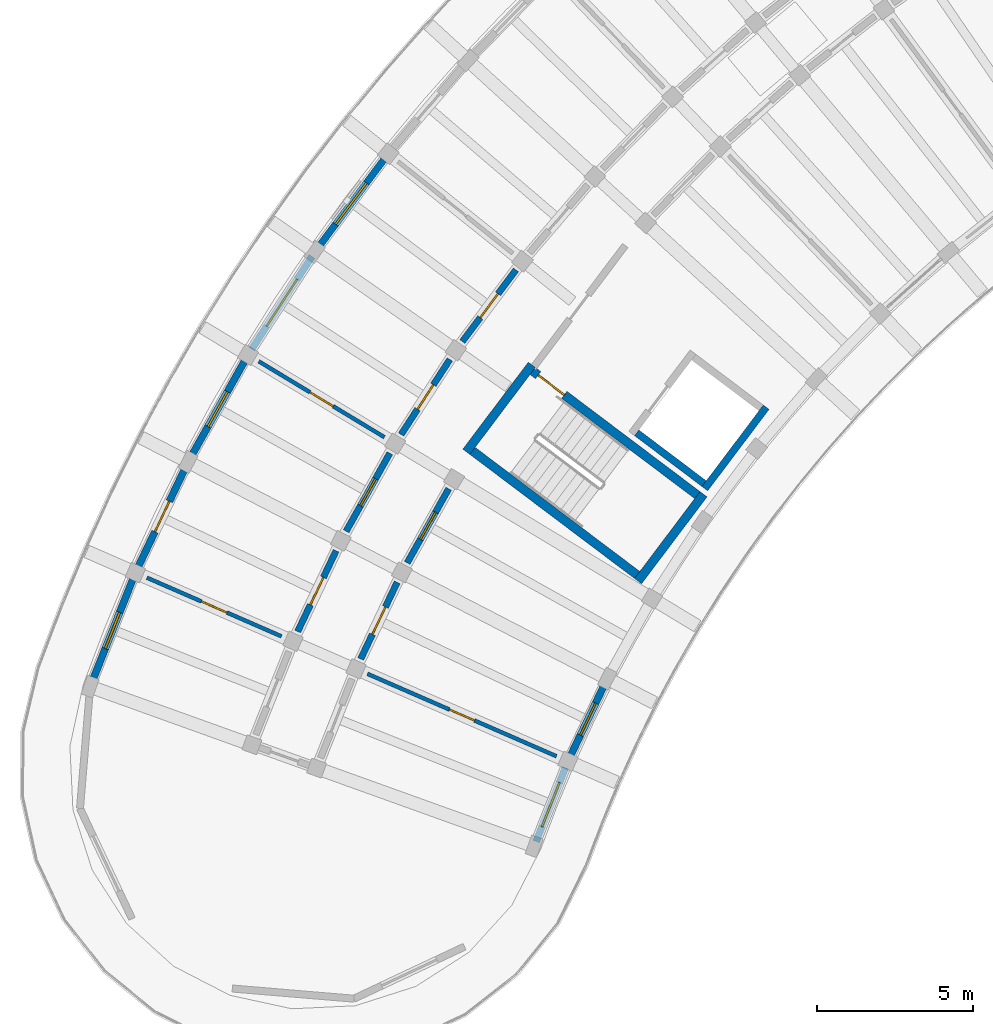
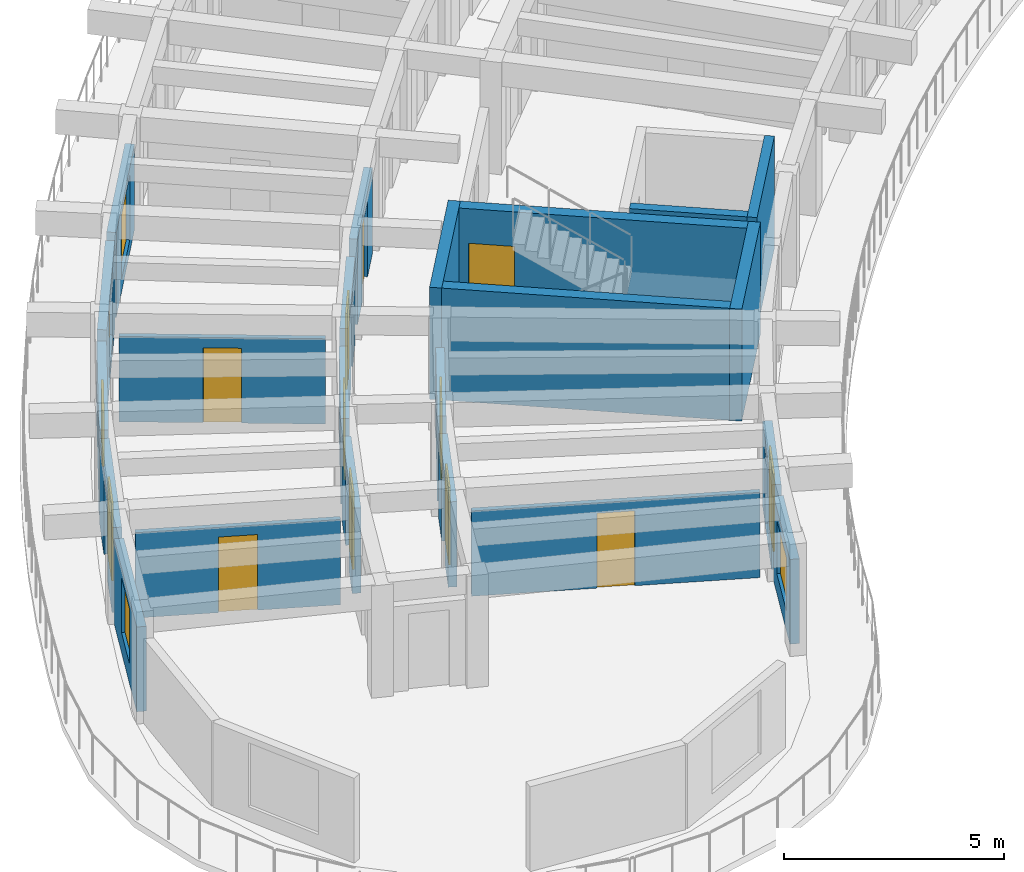
# One storey, part 19 of 41: 22 walls, 12 doors, 5 windows, 17 openings.
"""IFC4 building model written with IfcOpenShell, lengths in metres."""

from ifc_helpers import new_model, si_unit, direction, frame, frame_2d, origin, place, context, subcontext, project, spatial, rectangle, extrude, material, layer, layer_set, type_object, element, fill, save


model = new_model("IFC4")

# Units and contexts
model_context = context("Model", 3, precision=1e-05, world=origin(), true_north=direction((0.0, 1.0)))
body_context = subcontext(model_context, "Body", "Model", "MODEL_VIEW")
ifc_project = project(units=[si_unit("LENGTHUNIT", "METRE"), si_unit("AREAUNIT", "SQUARE_METRE"), si_unit("VOLUMEUNIT", "CUBIC_METRE"), si_unit("PLANEANGLEUNIT", "RADIAN"), si_unit("MASSUNIT", "GRAM", prefix="KILO")], contexts=[model_context])

# Site, building, storey
site_placement = place(None, origin())
site = spatial("IfcSite", under=ifc_project, at=site_placement, CompositionType="ELEMENT")
building_placement = place(site_placement, origin())
building = spatial("IfcBuilding", under=site, at=building_placement, Name="Tanwirah Colonnade Gardens", CompositionType="ELEMENT")
storey_placement = place(building_placement, frame((0.0, 0.0, 35.719970703125)))
storey = spatial("IfcBuildingStorey", under=building, at=storey_placement, Name="L10", CompositionType="ELEMENT", Elevation=35.719970703125)

# Wall, opening, window
ifc_material_1 = material(Name="Limestone architectural precast concrete C40/50", Category="masonry")
ifc_layer_1 = layer(ifc_material_1, 0.22509765625)
ifc_layer_set_1 = layer_set([ifc_layer_1], Name="Limestone architectural precast concrete C40/50")
wall_type_1 = type_object("IfcWallType", Name="EW-PC225", PredefinedType="SOLIDWALL", material=ifc_layer_set_1)
wall_1_placement = place(storey_placement, frame((18.3720703125, 97.22998046875, 0.0), z_axis=(0.0, 0.0, 1.0), x_axis=(-0.59871946339, -0.800958803034, 0.0)))
wall_1 = element("IfcWall", 1, at=wall_1_placement, inside=storey, type_object=wall_type_1, Name="Block A L10 OUT Precast Facade Wall 12", PredefinedType="SOLIDWALL", context=body_context, shape_type="SweptSolid", body=[
    extrude(rectangle(XDim=3.540771484375, YDim=0.22509765625, at=frame_2d((1.7705078125, 0.0))), origin(), (0.0, 0.0, 1.0), 2.35498046875),
])
opening_1_placement = place(wall_1_placement, frame((0.9453125, 0.0, 0.35009765625)))
opening_1 = element("IfcOpeningElement", 2, at=opening_1_placement, cuts=wall_1, Name="Opening WIN-T11", PredefinedType="OPENING", context=body_context, shape_type="SweptSolid", body=[
    extrude(rectangle(XDim=1.64990234375, YDim=1.800048828125, at=frame_2d((0.824951171875, 0.89990234375))), frame((0.0, 0.12255859375, 0.0), z_axis=(0.0, -1.0, 0.0), x_axis=(1.0, 0.0, 0.0)), (0.0, 0.0, 1.0), 0.2451171875),
])
ifc_material_2 = material(Name="Thermally broken bronze aluminium and solar low-E double glazing", Category="aluminium")
window_type_1 = type_object("IfcWindowType", Name="WIN-T11", PartitioningType="DOUBLE_PANEL_VERTICAL", PredefinedType="WINDOW", material=ifc_material_2)
window_1_placement = place(opening_1_placement, origin())
window_1 = element("IfcWindow", 3, at=window_1_placement, inside=storey, type_object=window_type_1, Name="Facade window A-L10-OUT-12", OverallHeight=1.800048828125, OverallWidth=1.64990234375, PartitioningType="SINGLE_PANEL", PredefinedType="WINDOW", context=body_context, shape_type="SweptSolid", body=[
    extrude(rectangle(XDim=1.64990234375, YDim=1.800048828125, at=frame_2d((0.824951171875, 0.89990234375))), frame((0.0, 0.030029296875, 0.0), z_axis=(0.0, -1.0, 0.0), x_axis=(1.0, 0.0, 0.0)), (0.0, 0.0, 1.0), 0.06005859375),
])
fill(opening_1, window_1)

wall_2_placement = place(storey_placement, frame((16.0634765625, 94.12353515625, 0.0), z_axis=(0.0, 0.0, 1.0), x_axis=(-0.544651423633, -0.838662522553, 0.0)))
wall_2 = element("IfcWall", 4, at=wall_2_placement, inside=storey, type_object=wall_type_1, Name="Block A L10 OUT Precast Facade Wall 13", PredefinedType="SOLIDWALL", context=body_context, shape_type="SweptSolid", body=[
    extrude(rectangle(XDim=3.540771484375, YDim=0.22509765625, at=frame_2d((1.7705078125, 0.0))), origin(), (0.0, 0.0, 1.0), 2.35498046875),
])
opening_2_placement = place(wall_2_placement, frame((0.870361328125, 0.0, 0.35009765625)))
opening_2 = element("IfcOpeningElement", 5, at=opening_2_placement, cuts=wall_2, Name="Opening WIN-T14", PredefinedType="OPENING", context=body_context, shape_type="SweptSolid", body=[
    extrude(rectangle(XDim=1.800048828125, YDim=1.85009765625, at=frame_2d((0.89990234375, 0.925048828125))), frame((0.0, 0.12255859375, 0.0), z_axis=(0.0, -1.0, 0.0), x_axis=(1.0, 0.0, 0.0)), (0.0, 0.0, 1.0), 0.2451171875),
])
window_type_2 = type_object("IfcWindowType", Name="WIN-T14", PartitioningType="TRIPLE_PANEL_VERTICAL", PredefinedType="WINDOW", material=ifc_material_2)
window_2_placement = place(opening_2_placement, origin())
window_2 = element("IfcWindow", 6, at=window_2_placement, inside=storey, type_object=window_type_2, Name="Facade window A-L10-OUT-13", OverallHeight=1.85009765625, OverallWidth=1.800048828125, PartitioningType="SINGLE_PANEL", PredefinedType="WINDOW", context=body_context, shape_type="SweptSolid", body=[
    extrude(rectangle(XDim=1.800048828125, YDim=1.85009765625, at=frame_2d((0.89990234375, 0.925048828125))), frame((0.0, 0.030029296875, 0.0), z_axis=(0.0, -1.0, 0.0), x_axis=(1.0, 0.0, 0.0)), (0.0, 0.0, 1.0), 0.06005859375),
])
fill(opening_2, window_2)

wall_3_placement = place(storey_placement, frame((13.907958984375, 90.77734375, 0.0), z_axis=(0.0, 0.0, 1.0), x_axis=(-0.488240096514, -0.872709349185, 0.0)))
wall_3 = element("IfcWall", 7, at=wall_3_placement, inside=storey, type_object=wall_type_1, Name="Block A L10 OUT Precast Facade Wall 14", PredefinedType="SOLIDWALL", context=body_context, shape_type="SweptSolid", body=[
    extrude(rectangle(XDim=3.540771484375, YDim=0.22509765625, at=frame_2d((1.7705078125, 0.0))), origin(), (0.0, 0.0, 1.0), 2.35498046875),
])
opening_3_placement = place(wall_3_placement, frame((1.13037109375, 0.0, 0.550048828125)))
opening_3 = element("IfcOpeningElement", 8, at=opening_3_placement, cuts=wall_3, Name="Opening WIN-T17", PredefinedType="OPENING", context=body_context, shape_type="SweptSolid", body=[
    extrude(rectangle(XDim=1.280029296875, YDim=1.52001953125, at=frame_2d((0.64013671875, 0.760009765625))), frame((0.0, 0.12255859375, 0.0), z_axis=(0.0, -1.0, 0.0), x_axis=(1.0, 0.0, 0.0)), (0.0, 0.0, 1.0), 0.2451171875),
])
window_type_3 = type_object("IfcWindowType", Name="WIN-T17", PartitioningType="SINGLE_PANEL", PredefinedType="WINDOW", material=ifc_material_2)
window_3_placement = place(opening_3_placement, origin())
window_3 = element("IfcWindow", 9, at=window_3_placement, inside=storey, type_object=window_type_3, Name="Facade window A-L10-OUT-14", OverallHeight=1.52001953125, OverallWidth=1.280029296875, PartitioningType="SINGLE_PANEL", PredefinedType="WINDOW", context=body_context, shape_type="SweptSolid", body=[
    extrude(rectangle(XDim=1.280029296875, YDim=1.52001953125, at=frame_2d((0.64013671875, 0.760009765625))), frame((0.0, 0.030029296875, 0.0), z_axis=(0.0, -1.0, 0.0), x_axis=(1.0, 0.0, 0.0)), (0.0, 0.0, 1.0), 0.06005859375),
])
fill(opening_3, window_3)

# Wall, opening, door
wall_4_placement = place(storey_placement, frame((12.02783203125, 87.394287109375, 0.0), z_axis=(0.0, 0.0, 1.0), x_axis=(-0.429641817045, -0.902999395928, 0.0)))
wall_4 = element("IfcWall", 10, at=wall_4_placement, inside=storey, type_object=wall_type_1, Name="Block A L10 OUT Precast Facade Wall 15", PredefinedType="SOLIDWALL", context=body_context, shape_type="SweptSolid", body=[
    extrude(rectangle(XDim=3.540771484375, YDim=0.22509765625, at=frame_2d((1.7705078125, 0.0))), origin(), (0.0, 0.0, 1.0), 2.35498046875),
])
opening_4_placement = place(wall_4_placement, frame((1.230224609375, 0.0, 0.0)))
opening_4 = element("IfcOpeningElement", 11, at=opening_4_placement, cuts=wall_4, Name="Opening L10-ED050", PredefinedType="OPENING", context=body_context, shape_type="SweptSolid", body=[
    extrude(rectangle(XDim=1.080078125, YDim=2.14990234375, at=frame_2d((0.5400390625, 1.074951171875))), frame((0.0, 0.12255859375, 0.0), z_axis=(0.0, -1.0, 0.0), x_axis=(1.0, 0.0, 0.0)), (0.0, 0.0, 1.0), 0.2451171875),
])
ifc_material_3 = material(Name="Bronze aluminium glazed balcony door", Category="aluminium")
door_type_1 = type_object("IfcDoorType", Name="ED-BAL108", OperationType="NOTDEFINED", PredefinedType="DOOR", material=ifc_material_3)
door_1_placement = place(opening_4_placement, origin())
door_1 = element("IfcDoor", 12, at=door_1_placement, inside=storey, type_object=door_type_1, Name="Balcony glazed door L10-ED050", OperationType="SINGLE_SWING_RIGHT", OverallHeight=2.14990234375, OverallWidth=1.080078125, PredefinedType="DOOR", context=body_context, shape_type="SweptSolid", body=[
    extrude(rectangle(XDim=1.080078125, YDim=2.14990234375, at=frame_2d((0.5400390625, 1.074951171875))), frame((0.0, 0.02490234375, 0.0), z_axis=(0.0, -1.0, 0.0), x_axis=(1.0, 0.0, 0.0)), (0.0, 0.0, 1.0), 0.050048828125),
])
fill(opening_4, door_1)

wall_5_placement = place(storey_placement, frame((25.44189453125, 80.4609375, 0.0), z_axis=(0.0, 0.0, 1.0), x_axis=(-0.429631962494, -0.903004084599, 0.0)))
wall_5 = element("IfcWall", 13, at=wall_5_placement, inside=storey, type_object=wall_type_1, Name="Block A L10 IN Precast Facade Wall 15", PredefinedType="SOLIDWALL", context=body_context, shape_type="SweptSolid", body=[
    extrude(rectangle(XDim=2.545166015625, YDim=0.22509765625, at=frame_2d((1.2724609375, 0.0))), origin(), (0.0, 0.0, 1.0), 2.35498046875),
])
opening_5_placement = place(wall_5_placement, frame((0.70263671875, 0.0, 0.0)))
opening_5 = element("IfcOpeningElement", 14, at=opening_5_placement, cuts=wall_5, Name="Opening L10-ED051", PredefinedType="OPENING", context=body_context, shape_type="SweptSolid", body=[
    extrude(rectangle(XDim=1.139892578125, YDim=2.159912109375, at=frame_2d((0.56982421875, 1.080078125))), frame((0.0, 0.12255859375, 0.0), z_axis=(0.0, -1.0, 0.0), x_axis=(1.0, 0.0, 0.0)), (0.0, 0.0, 1.0), 0.2451171875),
])
door_type_2 = type_object("IfcDoorType", Name="ED-BAL114", OperationType="NOTDEFINED", PredefinedType="DOOR", material=ifc_material_3)
door_2_placement = place(opening_5_placement, origin())
door_2 = element("IfcDoor", 15, at=door_2_placement, inside=storey, type_object=door_type_2, Name="Balcony glazed door L10-ED051", OperationType="SINGLE_SWING_RIGHT", OverallHeight=2.159912109375, OverallWidth=1.139892578125, PredefinedType="DOOR", context=body_context, shape_type="SweptSolid", body=[
    extrude(rectangle(XDim=1.139892578125, YDim=2.159912109375, at=frame_2d((0.56982421875, 1.080078125))), frame((0.0, 0.02490234375, 0.0), z_axis=(0.0, -1.0, 0.0), x_axis=(1.0, 0.0, 0.0)), (0.0, 0.0, 1.0), 0.050048828125),
])
fill(opening_5, door_2)

# Wall, opening, window
wall_6_placement = place(storey_placement, frame((10.330810546875, 83.7939453125, 0.0), z_axis=(0.0, 0.0, 1.0), x_axis=(-0.369178347818, -0.929358567778, 0.0)))
wall_6 = element("IfcWall", 16, at=wall_6_placement, inside=storey, type_object=wall_type_1, Name="Block A L10 OUT Precast Facade Wall 16", PredefinedType="SOLIDWALL", context=body_context, shape_type="SweptSolid", body=[
    extrude(rectangle(XDim=3.54052734375, YDim=0.22509765625, at=frame_2d((1.770263671875, 0.0))), origin(), (0.0, 0.0, 1.0), 2.35498046875),
])
opening_6_placement = place(wall_6_placement, frame((1.150390625, 0.0, 0.550048828125)))
opening_6 = element("IfcOpeningElement", 17, at=opening_6_placement, cuts=wall_6, Name="Opening WIN-U03", PredefinedType="OPENING", context=body_context, shape_type="SweptSolid", body=[
    extrude(rectangle(XDim=1.239990234375, YDim=1.534912109375, at=frame_2d((0.6201171875, 0.767578125))), frame((0.0, 0.12255859375, 0.0), z_axis=(0.0, -1.0, 0.0), x_axis=(1.0, 0.0, 0.0)), (0.0, 0.0, 1.0), 0.2451171875),
])
window_type_4 = type_object("IfcWindowType", Name="WIN-U03", PartitioningType="DOUBLE_PANEL_VERTICAL", PredefinedType="WINDOW", material=ifc_material_2)
window_4_placement = place(opening_6_placement, origin())
window_4 = element("IfcWindow", 18, at=window_4_placement, inside=storey, type_object=window_type_4, Name="Facade window A-L10-OUT-16", OverallHeight=1.534912109375, OverallWidth=1.239990234375, PartitioningType="SINGLE_PANEL", PredefinedType="WINDOW", context=body_context, shape_type="SweptSolid", body=[
    extrude(rectangle(XDim=1.239990234375, YDim=1.534912109375, at=frame_2d((0.6201171875, 0.767578125))), frame((0.0, 0.030029296875, 0.0), z_axis=(0.0, -1.0, 0.0), x_axis=(1.0, 0.0, 0.0)), (0.0, 0.0, 1.0), 0.06005859375),
])
fill(opening_6, window_4)

wall_7_placement = place(storey_placement, frame((24.172607421875, 77.759521484375, 0.0), z_axis=(0.0, 0.0, 1.0), x_axis=(-0.369190124901, -0.929353889364, 0.0)))
wall_7 = element("IfcWall", 19, at=wall_7_placement, inside=storey, type_object=wall_type_1, Name="Block A L10 IN Precast Facade Wall 16", PredefinedType="SOLIDWALL", context=body_context, shape_type="SweptSolid", body=[
    extrude(rectangle(XDim=2.54541015625, YDim=0.22509765625, at=frame_2d((1.272705078125, 0.0))), origin(), (0.0, 0.0, 1.0), 2.35498046875),
])
opening_7_placement = place(wall_7_placement, frame((0.5126953125, 0.0, 0.550048828125)))
opening_7 = element("IfcOpeningElement", 20, at=opening_7_placement, cuts=wall_7, Name="Opening WIN-U10", PredefinedType="OPENING", context=body_context, shape_type="SweptSolid", body=[
    extrude(rectangle(XDim=1.52001953125, YDim=1.485107421875, at=frame_2d((0.760009765625, 0.74267578125))), frame((0.0, 0.12255859375, 0.0), z_axis=(0.0, -1.0, 0.0), x_axis=(1.0, 0.0, 0.0)), (0.0, 0.0, 1.0), 0.2451171875),
])
window_type_5 = type_object("IfcWindowType", Name="WIN-U10", PartitioningType="DOUBLE_PANEL_VERTICAL", PredefinedType="WINDOW", material=ifc_material_2)
window_5_placement = place(opening_7_placement, origin())
window_5 = element("IfcWindow", 21, at=window_5_placement, inside=storey, type_object=window_type_5, Name="Facade window A-L10-IN-16", OverallHeight=1.485107421875, OverallWidth=1.52001953125, PartitioningType="SINGLE_PANEL", PredefinedType="WINDOW", context=body_context, shape_type="SweptSolid", body=[
    extrude(rectangle(XDim=1.52001953125, YDim=1.485107421875, at=frame_2d((0.760009765625, 0.74267578125))), frame((0.0, 0.030029296875, 0.0), z_axis=(0.0, -1.0, 0.0), x_axis=(1.0, 0.0, 0.0)), (0.0, 0.0, 1.0), 0.06005859375),
])
fill(opening_7, window_5)

# Wall, opening, door
ifc_material_4 = material(Name="Precast concrete C40/50", Category="concrete")
ifc_layer_2 = layer(ifc_material_4, 0.205078125)
ifc_layer_set_2 = layer_set([ifc_layer_2], Name="Precast concrete C40/50")
wall_type_2 = type_object("IfcWallType", Name="IW-CORR205", PredefinedType="PARTITIONING", material=ifc_layer_set_2)
wall_8_placement = place(storey_placement, frame((22.588623046875, 93.689453125, 0.0), z_axis=(0.0, 0.0, 1.0), x_axis=(-0.598757763243, -0.800930172335, 0.0)))
wall_8 = element("IfcWall", 22, at=wall_8_placement, inside=storey, type_object=wall_type_2, Name="Block A L10 OUT Corridor Wall 12", PredefinedType="PARTITIONING", context=body_context, shape_type="SweptSolid", body=[
    extrude(rectangle(XDim=2.86328125, YDim=0.205078125, at=frame_2d((1.431640625, 0.0))), origin(), (0.0, 0.0, 1.0), 2.3701171875),
])
opening_8_placement = place(wall_8_placement, frame((0.95654296875, 0.0, 0.0)))
opening_8 = element("IfcOpeningElement", 23, at=opening_8_placement, cuts=wall_8, Name="Opening L10-AD662", PredefinedType="OPENING", context=body_context, shape_type="SweptSolid", body=[
    extrude(rectangle(XDim=0.949951171875, YDim=2.1298828125, at=frame_2d((0.47509765625, 1.06494140625))), frame((0.0, 0.112548828125, 0.0), z_axis=(0.0, -1.0, 0.0), x_axis=(1.0, 0.0, 0.0)), (0.0, 0.0, 1.0), 0.22509765625),
])
ifc_material_5 = material(Name="Solid oak fire-resisting apartment entrance door")
door_type_3 = type_object("IfcDoorType", Name="ID-FLT095", OperationType="NOTDEFINED", PredefinedType="DOOR", material=ifc_material_5)
door_3_placement = place(opening_8_placement, origin())
door_3 = element("IfcDoor", 24, at=door_3_placement, inside=storey, type_object=door_type_3, Name="Apartment corridor door L10-AD662", OperationType="SINGLE_SWING_LEFT", OverallHeight=2.1298828125, OverallWidth=0.949951171875, PredefinedType="DOOR", context=body_context, shape_type="SweptSolid", body=[
    extrude(rectangle(XDim=0.949951171875, YDim=2.1298828125, at=frame_2d((0.47509765625, 1.06494140625))), frame((0.0, 0.02490234375, 0.0), z_axis=(0.0, -1.0, 0.0), x_axis=(1.0, 0.0, 0.0)), (0.0, 0.0, 1.0), 0.050048828125),
])
fill(opening_8, door_3)

wall_9_placement = place(storey_placement, frame((20.47412109375, 90.822265625, 0.0), z_axis=(0.0, 0.0, 1.0), x_axis=(-0.544643612649, -0.838667595178, 0.0)))
wall_9 = element("IfcWall", 25, at=wall_9_placement, inside=storey, type_object=wall_type_2, Name="Block A L10 OUT Corridor Wall 13", PredefinedType="PARTITIONING", context=body_context, shape_type="SweptSolid", body=[
    extrude(rectangle(XDim=2.863037109375, YDim=0.205078125, at=frame_2d((1.431640625, 0.0))), origin(), (0.0, 0.0, 1.0), 2.3701171875),
])
opening_9_placement = place(wall_9_placement, frame((0.966552734375, 0.0, 0.0)))
opening_9 = element("IfcOpeningElement", 26, at=opening_9_placement, cuts=wall_9, Name="Opening L10-AD663", PredefinedType="OPENING", context=body_context, shape_type="SweptSolid", body=[
    extrude(rectangle(XDim=0.929931640625, YDim=2.1201171875, at=frame_2d((0.46484375, 1.06005859375))), frame((0.0, 0.112548828125, 0.0), z_axis=(0.0, -1.0, 0.0), x_axis=(1.0, 0.0, 0.0)), (0.0, 0.0, 1.0), 0.22509765625),
])
door_type_4 = type_object("IfcDoorType", Name="ID-FLT093", OperationType="NOTDEFINED", PredefinedType="DOOR", material=ifc_material_5)
door_4_placement = place(opening_9_placement, origin())
door_4 = element("IfcDoor", 27, at=door_4_placement, inside=storey, type_object=door_type_4, Name="Apartment corridor door L10-AD663", OperationType="SINGLE_SWING_RIGHT", OverallHeight=2.1201171875, OverallWidth=0.929931640625, PredefinedType="DOOR", context=body_context, shape_type="SweptSolid", body=[
    extrude(rectangle(XDim=0.929931640625, YDim=2.1201171875, at=frame_2d((0.46484375, 1.06005859375))), frame((0.0, 0.02490234375, 0.0), z_axis=(0.0, -1.0, 0.0), x_axis=(1.0, 0.0, 0.0)), (0.0, 0.0, 1.0), 0.050048828125),
])
fill(opening_9, door_4)

wall_10_placement = place(storey_placement, frame((18.55322265625, 87.822021484375, 0.0), z_axis=(0.0, 0.0, 1.0), x_axis=(-0.488211211273, -0.872725508501, 0.0)))
wall_10 = element("IfcWall", 28, at=wall_10_placement, inside=storey, type_object=wall_type_2, Name="Block A L10 OUT Corridor Wall 14", PredefinedType="PARTITIONING", context=body_context, shape_type="SweptSolid", body=[
    extrude(rectangle(XDim=2.86279296875, YDim=0.205078125, at=frame_2d((1.431396484375, 0.0))), origin(), (0.0, 0.0, 1.0), 2.3701171875),
])
opening_10_placement = place(wall_10_placement, frame((0.9365234375, 0.0, 0.0)))
opening_10 = element("IfcOpeningElement", 29, at=opening_10_placement, cuts=wall_10, Name="Opening L10-AD665", PredefinedType="OPENING", context=body_context, shape_type="SweptSolid", body=[
    extrude(rectangle(XDim=0.989990234375, YDim=2.159912109375, at=frame_2d((0.4951171875, 1.080078125))), frame((0.0, 0.112548828125, 0.0), z_axis=(0.0, -1.0, 0.0), x_axis=(1.0, 0.0, 0.0)), (0.0, 0.0, 1.0), 0.22509765625),
])
door_type_5 = type_object("IfcDoorType", Name="ID-FLT099", OperationType="NOTDEFINED", PredefinedType="DOOR", material=ifc_material_5)
door_5_placement = place(opening_10_placement, origin())
door_5 = element("IfcDoor", 30, at=door_5_placement, inside=storey, type_object=door_type_5, Name="Apartment corridor door L10-AD665", OperationType="SINGLE_SWING_LEFT", OverallHeight=2.159912109375, OverallWidth=0.989990234375, PredefinedType="DOOR", context=body_context, shape_type="SweptSolid", body=[
    extrude(rectangle(XDim=0.989990234375, YDim=2.159912109375, at=frame_2d((0.4951171875, 1.080078125))), frame((0.0, 0.02490234375, 0.0), z_axis=(0.0, -1.0, 0.0), x_axis=(1.0, 0.0, 0.0)), (0.0, 0.0, 1.0), 0.050048828125),
])
fill(opening_10, door_5)

wall_11_placement = place(storey_placement, frame((20.436767578125, 86.685302734375, 0.0), z_axis=(0.0, 0.0, 1.0), x_axis=(-0.48819576874, -0.872734147025, 0.0)))
wall_11 = element("IfcWall", 31, at=wall_11_placement, inside=storey, type_object=wall_type_2, Name="Block A L10 IN Corridor Wall 14", PredefinedType="PARTITIONING", context=body_context, shape_type="SweptSolid", body=[
    extrude(rectangle(XDim=2.718017578125, YDim=0.205078125, at=frame_2d((1.35888671875, 0.0))), origin(), (0.0, 0.0, 1.0), 2.3701171875),
])
opening_11_placement = place(wall_11_placement, frame((0.864013671875, 0.0, 0.0)))
opening_11 = element("IfcOpeningElement", 32, at=opening_11_placement, cuts=wall_11, Name="Opening L10-AD666", PredefinedType="OPENING", context=body_context, shape_type="SweptSolid", body=[
    extrude(rectangle(XDim=0.989990234375, YDim=2.159912109375, at=frame_2d((0.4951171875, 1.080078125))), frame((0.0, 0.112548828125, 0.0), z_axis=(0.0, -1.0, 0.0), x_axis=(1.0, 0.0, 0.0)), (0.0, 0.0, 1.0), 0.22509765625),
])
door_6_placement = place(opening_11_placement, origin())
door_6 = element("IfcDoor", 33, at=door_6_placement, inside=storey, type_object=door_type_5, Name="Apartment corridor door L10-AD666", OperationType="SINGLE_SWING_RIGHT", OverallHeight=2.159912109375, OverallWidth=0.989990234375, PredefinedType="DOOR", context=body_context, shape_type="SweptSolid", body=[
    extrude(rectangle(XDim=0.989990234375, YDim=2.159912109375, at=frame_2d((0.4951171875, 1.080078125))), frame((0.0, 0.02490234375, 0.0), z_axis=(0.0, -1.0, 0.0), x_axis=(1.0, 0.0, 0.0)), (0.0, 0.0, 1.0), 0.050048828125),
])
fill(opening_11, door_6)

wall_12_placement = place(storey_placement, frame((16.834228515625, 84.701904296875, 0.0), z_axis=(0.0, 0.0, 1.0), x_axis=(-0.429595933416, -0.90302122566, 0.0)))
wall_12 = element("IfcWall", 34, at=wall_12_placement, inside=storey, type_object=wall_type_2, Name="Block A L10 OUT Corridor Wall 15", PredefinedType="PARTITIONING", context=body_context, shape_type="SweptSolid", body=[
    extrude(rectangle(XDim=2.863037109375, YDim=0.205078125, at=frame_2d((1.431640625, 0.0))), origin(), (0.0, 0.0, 1.0), 2.3701171875),
])
opening_12_placement = place(wall_12_placement, frame((0.946533203125, 0.0, 0.0)))
opening_12 = element("IfcOpeningElement", 35, at=opening_12_placement, cuts=wall_12, Name="Opening L10-AD667", PredefinedType="OPENING", context=body_context, shape_type="SweptSolid", body=[
    extrude(rectangle(XDim=0.969970703125, YDim=2.14990234375, at=frame_2d((0.48486328125, 1.074951171875))), frame((0.0, 0.112548828125, 0.0), z_axis=(0.0, -1.0, 0.0), x_axis=(1.0, 0.0, 0.0)), (0.0, 0.0, 1.0), 0.22509765625),
])
door_type_6 = type_object("IfcDoorType", Name="ID-FLT097", OperationType="NOTDEFINED", PredefinedType="DOOR", material=ifc_material_5)
door_7_placement = place(opening_12_placement, origin())
door_7 = element("IfcDoor", 36, at=door_7_placement, inside=storey, type_object=door_type_6, Name="Apartment corridor door L10-AD667", OperationType="SINGLE_SWING_RIGHT", OverallHeight=2.14990234375, OverallWidth=0.969970703125, PredefinedType="DOOR", context=body_context, shape_type="SweptSolid", body=[
    extrude(rectangle(XDim=0.969970703125, YDim=2.14990234375, at=frame_2d((0.48486328125, 1.074951171875))), frame((0.0, 0.02490234375, 0.0), z_axis=(0.0, -1.0, 0.0), x_axis=(1.0, 0.0, 0.0)), (0.0, 0.0, 1.0), 0.050048828125),
])
fill(opening_12, door_7)

wall_13_placement = place(storey_placement, frame((18.78857421875, 83.691650390625, 0.0), z_axis=(0.0, 0.0, 1.0), x_axis=(-0.429630211913, -0.90300491749, 0.0)))
wall_13 = element("IfcWall", 37, at=wall_13_placement, inside=storey, type_object=wall_type_2, Name="Block A L10 IN Corridor Wall 15", PredefinedType="PARTITIONING", context=body_context, shape_type="SweptSolid", body=[
    extrude(rectangle(XDim=2.718017578125, YDim=0.205078125, at=frame_2d((1.35888671875, 0.0))), origin(), (0.0, 0.0, 1.0), 2.3701171875),
])
opening_13_placement = place(wall_13_placement, frame((0.8740234375, 0.0, 0.0)))
opening_13 = element("IfcOpeningElement", 38, at=opening_13_placement, cuts=wall_13, Name="Opening L10-AD668", PredefinedType="OPENING", context=body_context, shape_type="SweptSolid", body=[
    extrude(rectangle(XDim=0.969970703125, YDim=2.14990234375, at=frame_2d((0.48486328125, 1.074951171875))), frame((0.0, 0.112548828125, 0.0), z_axis=(0.0, -1.0, 0.0), x_axis=(1.0, 0.0, 0.0)), (0.0, 0.0, 1.0), 0.22509765625),
])
door_8_placement = place(opening_13_placement, origin())
door_8 = element("IfcDoor", 39, at=door_8_placement, inside=storey, type_object=door_type_6, Name="Apartment corridor door L10-AD668", OperationType="SINGLE_SWING_LEFT", OverallHeight=2.14990234375, OverallWidth=0.969970703125, PredefinedType="DOOR", context=body_context, shape_type="SweptSolid", body=[
    extrude(rectangle(XDim=0.969970703125, YDim=2.14990234375, at=frame_2d((0.48486328125, 1.074951171875))), frame((0.0, 0.02490234375, 0.0), z_axis=(0.0, -1.0, 0.0), x_axis=(1.0, 0.0, 0.0)), (0.0, 0.0, 1.0), 0.050048828125),
])
fill(opening_13, door_8)

ifc_material_6 = material(Name="Moisture-resistant gypsum stud partition")
ifc_layer_3 = layer(ifc_material_6, 0.125)
ifc_layer_set_3 = layer_set([ifc_layer_3], Name="Moisture-resistant gypsum stud partition")
wall_type_3 = type_object("IfcWallType", Name="IW-INT125", PredefinedType="PARTITIONING", material=ifc_layer_set_3)
wall_14_placement = place(storey_placement, frame((18.381591796875, 88.334228515625, 0.0), z_axis=(0.0, 0.0, 1.0), x_axis=(-0.856165473929, 0.516701733356, 0.0)))
wall_14 = element("IfcWall", 40, at=wall_14_placement, inside=storey, type_object=wall_type_3, Name="Block A L10 Radial Partition 13", PredefinedType="PARTITIONING", context=body_context, shape_type="SweptSolid", body=[
    extrude(rectangle(XDim=4.699951171875, YDim=0.125, at=frame_2d((2.35009765625, 0.0))), origin(), (0.0, 0.0, 1.0), 2.3701171875),
])
opening_14_placement = place(wall_14_placement, frame((1.9150390625, 0.0, 0.0)))
opening_14 = element("IfcOpeningElement", 41, at=opening_14_placement, cuts=wall_14, Name="Opening L10-RD664", PredefinedType="OPENING", context=body_context, shape_type="SweptSolid", body=[
    extrude(rectangle(XDim=0.8701171875, YDim=2.080078125, at=frame_2d((0.43505859375, 1.0400390625))), frame((0.0, 0.072509765625, 0.0), z_axis=(0.0, -1.0, 0.0), x_axis=(1.0, 0.0, 0.0)), (0.0, 0.0, 1.0), 0.14501953125),
])
ifc_material_7 = material(Name="Painted hardwood study door", Category="wood")
door_type_7 = type_object("IfcDoorType", Name="ID-RM087", OperationType="NOTDEFINED", PredefinedType="DOOR", material=ifc_material_7)
door_9_placement = place(opening_14_placement, origin())
door_9 = element("IfcDoor", 42, at=door_9_placement, inside=storey, type_object=door_type_7, Name="Internal apartment door L10-RD664", OperationType="SINGLE_SWING_RIGHT", OverallHeight=2.080078125, OverallWidth=0.8701171875, PredefinedType="DOOR", context=body_context, shape_type="SweptSolid", body=[
    extrude(rectangle(XDim=0.8701171875, YDim=2.080078125, at=frame_2d((0.43505859375, 1.0400390625))), frame((0.0, 0.02490234375, 0.0), z_axis=(0.0, -1.0, 0.0), x_axis=(1.0, 0.0, 0.0)), (0.0, 0.0, 1.0), 0.050048828125),
])
fill(opening_14, door_9)

wall_15_placement = place(storey_placement, frame((15.087158203125, 81.960205078125, 0.0), z_axis=(0.0, 0.0, 1.0), x_axis=(-0.916663273961, 0.39966040856, 0.0)))
wall_15 = element("IfcWall", 43, at=wall_15_placement, inside=storey, type_object=wall_type_3, Name="Block A L10 Radial Partition 15", PredefinedType="PARTITIONING", context=body_context, shape_type="SweptSolid", body=[
    extrude(rectangle(XDim=4.699951171875, YDim=0.125, at=frame_2d((2.35009765625, 0.0))), origin(), (0.0, 0.0, 1.0), 2.3701171875),
])
opening_15_placement = place(wall_15_placement, frame((1.905029296875, 0.0, 0.0)))
opening_15 = element("IfcOpeningElement", 44, at=opening_15_placement, cuts=wall_15, Name="Opening L10-RD669", PredefinedType="OPENING", context=body_context, shape_type="SweptSolid", body=[
    extrude(rectangle(XDim=0.889892578125, YDim=2.10009765625, at=frame_2d((0.44482421875, 1.050048828125))), frame((0.0, 0.072509765625, 0.0), z_axis=(0.0, -1.0, 0.0), x_axis=(1.0, 0.0, 0.0)), (0.0, 0.0, 1.0), 0.14501953125),
])
ifc_material_8 = material(Name="Painted hardwood bedroom door", Category="wood")
door_type_8 = type_object("IfcDoorType", Name="ID-RM089", OperationType="NOTDEFINED", PredefinedType="DOOR", material=ifc_material_8)
door_10_placement = place(opening_15_placement, origin())
door_10 = element("IfcDoor", 45, at=door_10_placement, inside=storey, type_object=door_type_8, Name="Internal apartment door L10-RD669", OperationType="SINGLE_SWING_RIGHT", OverallHeight=2.10009765625, OverallWidth=0.889892578125, PredefinedType="DOOR", context=body_context, shape_type="SweptSolid", body=[
    extrude(rectangle(XDim=0.889892578125, YDim=2.10009765625, at=frame_2d((0.44482421875, 1.050048828125))), frame((0.0, 0.02490234375, 0.0), z_axis=(0.0, -1.0, 0.0), x_axis=(1.0, 0.0, 0.0)), (0.0, 0.0, 1.0), 0.050048828125),
])
fill(opening_15, door_10)

wall_16_placement = place(storey_placement, frame((23.88720703125, 78.123779296875, 0.0), z_axis=(0.0, 0.0, 1.0), x_axis=(-0.916668515796, 0.399648385645, 0.0)))
wall_16 = element("IfcWall", 46, at=wall_16_placement, inside=storey, type_object=wall_type_3, Name="Block A L10 Inner Radial Partition 15", PredefinedType="PARTITIONING", context=body_context, shape_type="SweptSolid", body=[
    extrude(rectangle(XDim=6.60009765625, YDim=0.125, at=frame_2d((3.300048828125, 0.0))), origin(), (0.0, 0.0, 1.0), 2.3701171875),
])
opening_16_placement = place(wall_16_placement, frame((2.864990234375, 0.0, 0.0)))
opening_16 = element("IfcOpeningElement", 47, at=opening_16_placement, cuts=wall_16, Name="Opening L10-RD670", PredefinedType="OPENING", context=body_context, shape_type="SweptSolid", body=[
    extrude(rectangle(XDim=0.8701171875, YDim=2.080078125, at=frame_2d((0.43505859375, 1.0400390625))), frame((0.0, 0.072509765625, 0.0), z_axis=(0.0, -1.0, 0.0), x_axis=(1.0, 0.0, 0.0)), (0.0, 0.0, 1.0), 0.14501953125),
])
door_11_placement = place(opening_16_placement, origin())
door_11 = element("IfcDoor", 48, at=door_11_placement, inside=storey, type_object=door_type_7, Name="Internal apartment door L10-RD670", OperationType="SINGLE_SWING_LEFT", OverallHeight=2.080078125, OverallWidth=0.8701171875, PredefinedType="DOOR", context=body_context, shape_type="SweptSolid", body=[
    extrude(rectangle(XDim=0.8701171875, YDim=2.080078125, at=frame_2d((0.43505859375, 1.0400390625))), frame((0.0, 0.02490234375, 0.0), z_axis=(0.0, -1.0, 0.0), x_axis=(1.0, 0.0, 0.0)), (0.0, 0.0, 1.0), 0.050048828125),
])
fill(opening_16, door_11)

# Walls
ifc_material_9 = material(Name="Concrete C45/55", Category="concrete")
ifc_layer_4 = layer(ifc_material_9, 0.280029296875)
ifc_layer_set_4 = layer_set([ifc_layer_4], Name="Concrete C45/55")
wall_type_4 = type_object("IfcWallType", Name="SW-CORE280", PredefinedType="SHEAR", material=ifc_layer_set_4)
wall_17_placement = place(storey_placement, frame((21.19873046875, 87.8974609375, 0.0), z_axis=(0.0, 0.0, 1.0), x_axis=(0.798639633744, -0.601809550782, 0.0)))
element("IfcWall", 49, at=wall_17_placement, inside=storey, type_object=wall_type_4, Name="CORE-A2 L10 Stair Shaft Shear Wall LEFT", PredefinedType="SHEAR", context=body_context, shape_type="SweptSolid", body=[
    extrude(rectangle(XDim=6.599853515625, YDim=0.280029296875, at=frame_2d((3.2998046875, 0.0))), origin(), (0.0, 0.0, 1.0), 3.110107421875),
])
for number, where, z_axis, x_axis, name in (
    (50, (26.497314453125, 83.7294921875, 0.0), (0.0, 0.0, 1.0), (0.601794470585, 0.798650997102, 0.0), "CORE-A2 L10 Stair Shaft Shear Wall FAR"),
    (51, (21.002685546875, 87.869873046875, 0.0), (0.0, 0.0, 1.0), (0.601794470585, 0.798650997102, 0.0), "CORE-A2 L10 Stair Shaft Shear Wall NEAR"),
):
    element("IfcWall", number, at=place(storey_placement, frame(where, z_axis=z_axis, x_axis=x_axis)), inside=storey, type_object=wall_type_4, Name=name, PredefinedType="SHEAR", context=body_context, shape_type="SweptSolid", body=[
        extrude(rectangle(XDim=3.47998046875, YDim=0.280029296875, at=frame_2d((1.739990234375, 0.0))), origin(), (0.0, 0.0, 1.0), 3.110107421875),
    ])

# Wall, opening, door
wall_18_placement = place(storey_placement, frame((23.12451171875, 90.453125, 0.0), z_axis=(0.0, 0.0, 1.0), x_axis=(0.798639633744, -0.601809550782, 0.0)))
wall_18 = element("IfcWall", 52, at=wall_18_placement, inside=storey, type_object=wall_type_4, Name="CORE-A2 L10 Stair Shaft Shear Wall RIGHT", PredefinedType="SHEAR", context=body_context, shape_type="SweptSolid", body=[
    extrude(rectangle(XDim=6.599853515625, YDim=0.280029296875, at=frame_2d((3.2998046875, 0.0))), origin(), (0.0, 0.0, 1.0), 3.110107421875),
])
opening_17_placement = place(wall_18_placement, frame((0.219970703125, 0.0, 0.0)))
opening_17 = element("IfcOpeningElement", 53, at=opening_17_placement, cuts=wall_18, Name="Opening L10-SD044", PredefinedType="OPENING", context=body_context, shape_type="SweptSolid", body=[
    extrude(rectangle(XDim=1.050048828125, YDim=2.14990234375, at=frame_2d((0.52490234375, 1.074951171875))), frame((0.0, 0.14990234375, 0.0), z_axis=(0.0, -1.0, 0.0), x_axis=(1.0, 0.0, 0.0)), (0.0, 0.0, 1.0), 0.300048828125),
])
ifc_material_10 = material(Name="Steel fire-resisting stair enclosure door", Category="steel")
door_type_9 = type_object("IfcDoorType", Name="ID-ST105", OperationType="NOTDEFINED", PredefinedType="DOOR", material=ifc_material_10)
door_12_placement = place(opening_17_placement, origin())
door_12 = element("IfcDoor", 54, at=door_12_placement, inside=storey, type_object=door_type_9, Name="CORE-A2 L10 Stair Fire Door L10-SD044", OperationType="SINGLE_SWING_LEFT", OverallHeight=2.14990234375, OverallWidth=1.050048828125, PredefinedType="DOOR", context=body_context, shape_type="SweptSolid", body=[
    extrude(rectangle(XDim=1.050048828125, YDim=2.14990234375, at=frame_2d((0.52490234375, 1.074951171875))), frame((0.0, 0.02490234375, 0.0), z_axis=(0.0, -1.0, 0.0), x_axis=(1.0, 0.0, 0.0)), (0.0, 0.0, 1.0), 0.050048828125),
])
fill(opening_17, door_12)

# Walls
ifc_layer_5 = layer(ifc_material_9, 0.22998046875)
ifc_layer_set_5 = layer_set([ifc_layer_5], Name="Concrete C45/55")
wall_type_5 = type_object("IfcWallType", Name="SW-LIFT230", PredefinedType="SHEAR", material=ifc_layer_set_5)
wall_19_placement = place(storey_placement, frame((28.634033203125, 86.689697265625, 0.0), z_axis=(0.0, 0.0, 1.0), x_axis=(0.601819781152, 0.798631924615, 0.0)))
element("IfcWall", 55, at=wall_19_placement, inside=storey, type_object=wall_type_5, Name="CORE-A2 L10 Lift Shaft Wall BACK", PredefinedType="SHEAR", context=body_context, shape_type="SweptSolid", body=[
    extrude(rectangle(XDim=3.260009765625, YDim=0.22998046875, at=frame_2d((1.6298828125, 0.0))), origin(), (0.0, 0.0, 1.0), 3.110107421875),
])
wall_20_placement = place(storey_placement, frame((26.455078125, 88.4755859375, 0.0), z_axis=(0.0, 0.0, 1.0), x_axis=(0.798608971494, -0.601850239387, 0.0)))
element("IfcWall", 56, at=wall_20_placement, inside=storey, type_object=wall_type_5, Name="CORE-A2 L10 Lift Shaft Wall SIDEA", PredefinedType="SHEAR", context=body_context, shape_type="SweptSolid", body=[
    extrude(rectangle(XDim=2.699951171875, YDim=0.22998046875, at=frame_2d((1.35009765625, 0.0))), origin(), (0.0, 0.0, 1.0), 3.110107421875),
])

save(model, "model.ifc")
